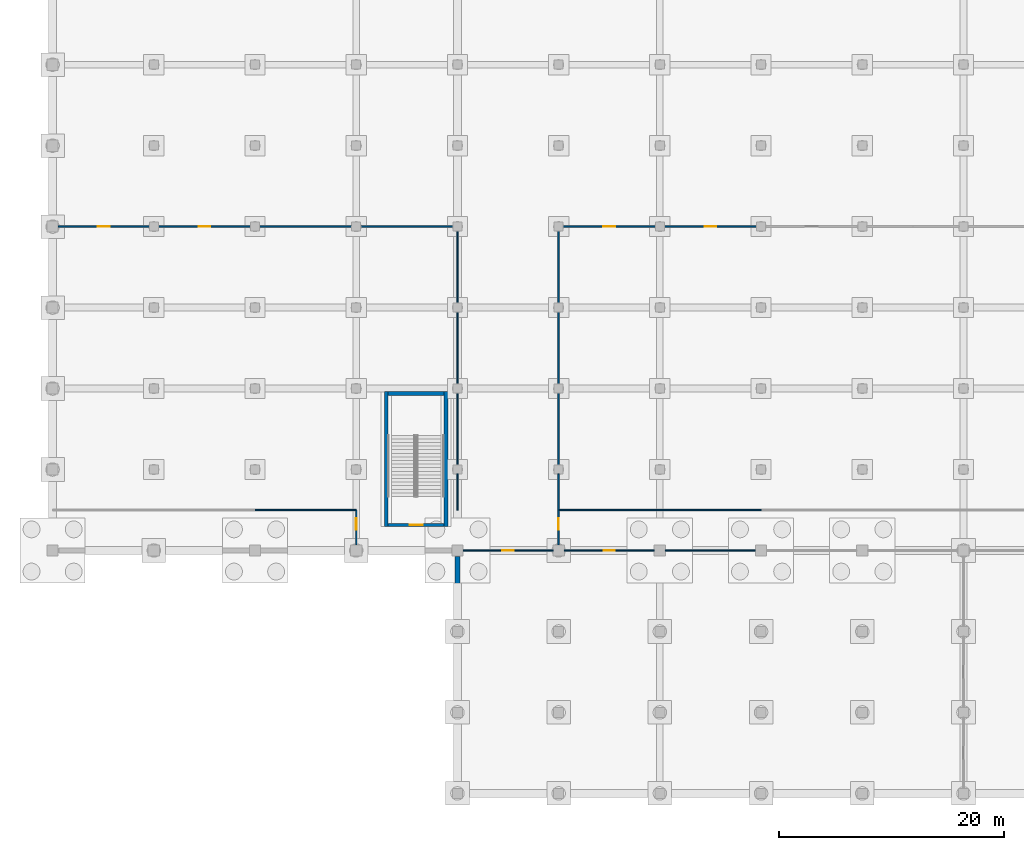
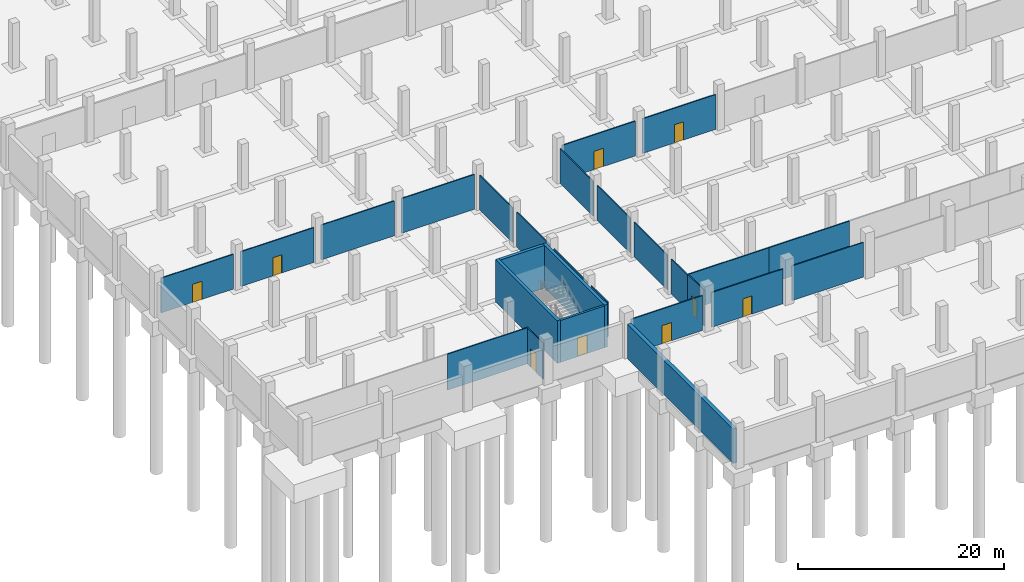
# One storey, part 16 of 39: 27 walls, 9 doors, 9 openings.
"""IFC4 building model written with IfcOpenShell, lengths in metres."""

from ifc_helpers import new_model, si_unit, direction, frame, frame_2d, origin, place, context, subcontext, project, spatial, rectangle, extrude, material, layer, layer_set, type_object, element, fill, save


model = new_model("IFC4")

# Units and contexts
model_context = context("Model", 3, precision=1e-05, world=origin(), true_north=direction((0.0, 1.0)))
body_context = subcontext(model_context, "Body", "Model", "MODEL_VIEW")
ifc_project = project(units=[si_unit("LENGTHUNIT", "METRE"), si_unit("AREAUNIT", "SQUARE_METRE"), si_unit("VOLUMEUNIT", "CUBIC_METRE"), si_unit("PLANEANGLEUNIT", "RADIAN"), si_unit("MASSUNIT", "GRAM", prefix="KILO")], contexts=[model_context])

# Site, building, storey
site_placement = place(None, origin())
site = spatial("IfcSite", under=ifc_project, at=site_placement, CompositionType="ELEMENT")
building_placement = place(site_placement, origin())
building = spatial("IfcBuilding", under=site, at=building_placement, Name="Celestram Park Convention Centre", CompositionType="ELEMENT")
storey_placement = place(building_placement, frame((0.0, 0.0, -5.39990234375)))
storey = spatial("IfcBuildingStorey", under=building, at=storey_placement, Name="B1", CompositionType="ELEMENT", Elevation=-5.39990234375)

# Wall, opening, door
ifc_material_1 = material(Name="Concrete Block Masonry C25/30", Category="masonry")
ifc_layer_1 = layer(ifc_material_1, 0.25)
ifc_layer_set_1 = layer_set([ifc_layer_1], Name="Concrete Block Masonry C25/30")
wall_type_1 = type_object("IfcWallType", Name="ARC-WL-COR250", PredefinedType="STANDARD", material=ifc_layer_set_1)
wall_1_placement = place(storey_placement, frame((29.840087890625, 23.875, 0.0), z_axis=(0.0, 0.0, 1.0), x_axis=(1.0, 0.0, 0.0)))
wall_1 = element("IfcWall", 1, at=wall_1_placement, inside=storey, type_object=wall_type_1, Name="Core S17 stair entrance wall", PredefinedType="STANDARD", context=body_context, shape_type="SweptSolid", body=[
    extrude(rectangle(XDim=4.9599609375, YDim=0.25, at=frame_2d((2.47998046875, 0.0))), origin(), (0.0, 0.0, 1.0), 4.949951171875),
])
opening_1_placement = place(wall_1_placement, frame((1.905029296875, 0.0, 0.0)))
opening_1 = element("IfcOpeningElement", 2, at=opening_1_placement, cuts=wall_1, Name="Opening D-ST1", PredefinedType="OPENING", context=body_context, shape_type="SweptSolid", body=[
    extrude(rectangle(XDim=1.14990234375, YDim=2.199951171875, at=frame_2d((0.574951171875, 1.10009765625))), frame((0.0, 0.135009765625, 0.0), z_axis=(0.0, -1.0, 0.0), x_axis=(1.0, 0.0, 0.0)), (0.0, 0.0, 1.0), 0.27001953125),
])
ifc_material_2 = material(Name="Fire-Rated Hollow Metal Steel ASTM A653", Category="steel")
door_type_1 = type_object("IfcDoorType", Name="ARC-DR-ST115", OperationType="NOTDEFINED", PredefinedType="DOOR", material=ifc_material_2)
door_1_placement = place(opening_1_placement, origin())
door_1 = element("IfcDoor", 3, at=door_1_placement, inside=storey, type_object=door_type_1, Name="Exit stair ST-17 fire door", OperationType="SINGLE_SWING_LEFT", OverallHeight=2.199951171875, OverallWidth=1.14990234375, PredefinedType="DOOR", context=body_context, shape_type="SweptSolid", body=[
    extrude(rectangle(XDim=1.14990234375, YDim=2.199951171875, at=frame_2d((0.574951171875, 1.10009765625))), frame((0.0, 0.02490234375, 0.0), z_axis=(0.0, -1.0, 0.0), x_axis=(1.0, 0.0, 0.0)), (0.0, 0.0, 1.0), 0.050048828125),
])
fill(opening_1, door_1)

ifc_material_3 = material(Name="Standard Gypsum & Steel Stud 120 mm", Category="steel")
ifc_layer_2 = layer(ifc_material_3, 0.1201171875)
ifc_layer_set_2 = layer_set([ifc_layer_2], Name="Standard Gypsum & Steel Stud 120 mm")
wall_type_2 = type_object("IfcWallType", Name="ARC-WL-PRT120", PredefinedType="PARTITIONING", material=ifc_layer_set_2)
wall_2_placement = place(storey_placement, frame((36.498046875, 21.60009765625, 0.0), z_axis=(0.0, 0.0, 1.0), x_axis=(1.0, 0.0, 0.0)))
wall_2 = element("IfcWall", 4, at=wall_2_placement, inside=storey, type_object=wall_type_2, Name="Interior partition WL-B1-IN0414", PredefinedType="PARTITIONING", context=body_context, shape_type="SweptSolid", body=[
    extrude(rectangle(XDim=8.00390625, YDim=0.1201171875, at=frame_2d((4.001953125, 0.0))), origin(), (0.0, 0.0, 1.0), 4.11279296875),
])
opening_2_placement = place(wall_2_placement, frame((3.47705078125, 0.0, 0.0)))
opening_2 = element("IfcOpeningElement", 5, at=opening_2_placement, cuts=wall_2, Name="Opening D-06", PredefinedType="OPENING", context=body_context, shape_type="SweptSolid", body=[
    extrude(rectangle(XDim=1.050048828125, YDim=2.14990234375, at=frame_2d((0.52490234375, 1.074951171875))), frame((0.0, 0.070068359375, 0.0), z_axis=(0.0, -1.0, 0.0), x_axis=(1.0, 0.0, 0.0)), (0.0, 0.0, 1.0), 0.14013671875),
])
ifc_material_4 = material(Name="Solid Core White Oak Single Door", Category="wood")
door_type_2 = type_object("IfcDoorType", Name="ARC-DR-RM105", OperationType="NOTDEFINED", PredefinedType="DOOR", material=ifc_material_4)
door_2_placement = place(opening_2_placement, origin())
door_2 = element("IfcDoor", 6, at=door_2_placement, inside=storey, type_object=door_type_2, Name="Underground Dock Staging Corridor entrance door", OperationType="SINGLE_SWING_RIGHT", OverallHeight=2.14990234375, OverallWidth=1.050048828125, PredefinedType="DOOR", context=body_context, shape_type="SweptSolid", body=[
    extrude(rectangle(XDim=1.050048828125, YDim=2.14990234375, at=frame_2d((0.52490234375, 1.074951171875))), frame((0.0, 0.02490234375, 0.0), z_axis=(0.0, -1.0, 0.0), x_axis=(1.0, 0.0, 0.0)), (0.0, 0.0, 1.0), 0.050048828125),
])
fill(opening_2, door_2)

wall_3_placement = place(storey_placement, frame((45.498046875, 21.60009765625, 0.0), z_axis=(0.0, 0.0, 1.0), x_axis=(1.0, 0.0, 0.0)))
wall_3 = element("IfcWall", 7, at=wall_3_placement, inside=storey, type_object=wall_type_2, Name="Interior partition WL-B1-IN0415", PredefinedType="PARTITIONING", context=body_context, shape_type="SweptSolid", body=[
    extrude(rectangle(XDim=8.00390625, YDim=0.1201171875, at=frame_2d((4.001953125, 0.0))), origin(), (0.0, 0.0, 1.0), 4.11279296875),
])
opening_3_placement = place(wall_3_placement, frame((3.501953125, 0.0, 0.0)))
opening_3 = element("IfcOpeningElement", 8, at=opening_3_placement, cuts=wall_3, Name="Opening D-07", PredefinedType="OPENING", context=body_context, shape_type="SweptSolid", body=[
    extrude(rectangle(XDim=1.0, YDim=2.14990234375, at=frame_2d((0.5, 1.074951171875))), frame((0.0, 0.070068359375, 0.0), z_axis=(0.0, -1.0, 0.0), x_axis=(1.0, 0.0, 0.0)), (0.0, 0.0, 1.0), 0.14013671875),
])
door_type_3 = type_object("IfcDoorType", Name="ARC-DR-RM100", OperationType="NOTDEFINED", PredefinedType="DOOR", material=ifc_material_4)
door_3_placement = place(opening_3_placement, origin())
door_3 = element("IfcDoor", 9, at=door_3_placement, inside=storey, type_object=door_type_3, Name="Underground Dock Staging Corridor entrance door", OperationType="SINGLE_SWING_LEFT", OverallHeight=2.14990234375, OverallWidth=1.0, PredefinedType="DOOR", context=body_context, shape_type="SweptSolid", body=[
    extrude(rectangle(XDim=1.0, YDim=2.14990234375, at=frame_2d((0.5, 1.074951171875))), frame((0.0, 0.02490234375, 0.0), z_axis=(0.0, -1.0, 0.0), x_axis=(1.0, 0.0, 0.0)), (0.0, 0.0, 1.0), 0.050048828125),
])
fill(opening_3, door_3)

# Walls
wall_4_placement = place(storey_placement, frame((54.498046875, 21.60009765625, 0.0), z_axis=(0.0, 0.0, 1.0), x_axis=(1.0, 0.0, 0.0)))
element("IfcWall", 10, at=wall_4_placement, inside=storey, type_object=wall_type_2, Name="Interior partition WL-B1-IN0416", PredefinedType="PARTITIONING", context=body_context, shape_type="SweptSolid", body=[
    extrude(rectangle(XDim=8.00390625, YDim=0.1201171875, at=frame_2d((4.001953125, 0.0))), origin(), (0.0, 0.0, 1.0), 4.11279296875),
])
for number, where, z_axis, x_axis, name in (
    (11, (18.0, 25.199951171875, 0.0), (0.0, 0.0, 1.0), (1.0, 0.0, 0.0), "Interior partition WL-B1-IN0426"),
    (12, (45.0, 25.199951171875, 0.0), (0.0, 0.0, 1.0), (1.0, 0.0, 0.0), "Interior partition WL-B1-IN0427"),
    (13, (54.0, 25.199951171875, 0.0), (0.0, 0.0, 1.0), (1.0, 0.0, 0.0), "Interior partition WL-B1-IN0428"),
):
    element("IfcWall", number, at=place(storey_placement, frame(where, z_axis=z_axis, x_axis=x_axis)), inside=storey, type_object=wall_type_2, Name=name, PredefinedType="PARTITIONING", context=body_context, shape_type="SweptSolid", body=[
        extrude(rectangle(XDim=9.0, YDim=0.1201171875, at=frame_2d((4.5, 0.0))), origin(), (0.0, 0.0, 1.0), 4.267822265625),
    ])

# Wall, opening, door
wall_5_placement = place(storey_placement, frame((0.498046875, 50.39990234375, 0.0), z_axis=(0.0, 0.0, 1.0), x_axis=(1.0, 0.0, 0.0)))
wall_5 = element("IfcWall", 14, at=wall_5_placement, inside=storey, type_object=wall_type_2, Name="Interior partition WL-B1-IN0436", PredefinedType="PARTITIONING", context=body_context, shape_type="SweptSolid", body=[
    extrude(rectangle(XDim=8.10400390625, YDim=0.1201171875, at=frame_2d((4.052001953125, 0.0))), origin(), (0.0, 0.0, 1.0), 4.11279296875),
])
opening_4_placement = place(wall_5_placement, frame((3.527099609375, 0.0, 0.0)))
opening_4 = element("IfcOpeningElement", 15, at=opening_4_placement, cuts=wall_5, Name="Opening D-06", PredefinedType="OPENING", context=body_context, shape_type="SweptSolid", body=[
    extrude(rectangle(XDim=1.050048828125, YDim=2.14990234375, at=frame_2d((0.52490234375, 1.074951171875))), frame((0.0, 0.070068359375, 0.0), z_axis=(0.0, -1.0, 0.0), x_axis=(1.0, 0.0, 0.0)), (0.0, 0.0, 1.0), 0.14013671875),
])
door_4_placement = place(opening_4_placement, origin())
door_4 = element("IfcDoor", 16, at=door_4_placement, inside=storey, type_object=door_type_2, Name="West Exhibit Storage Hall entrance door", OperationType="SINGLE_SWING_RIGHT", OverallHeight=2.14990234375, OverallWidth=1.050048828125, PredefinedType="DOOR", context=body_context, shape_type="SweptSolid", body=[
    extrude(rectangle(XDim=1.050048828125, YDim=2.14990234375, at=frame_2d((0.52490234375, 1.074951171875))), frame((0.0, 0.02490234375, 0.0), z_axis=(0.0, -1.0, 0.0), x_axis=(1.0, 0.0, 0.0)), (0.0, 0.0, 1.0), 0.050048828125),
])
fill(opening_4, door_4)

wall_6_placement = place(storey_placement, frame((9.39794921875, 50.39990234375, 0.0), z_axis=(0.0, 0.0, 1.0), x_axis=(1.0, 0.0, 0.0)))
wall_6 = element("IfcWall", 17, at=wall_6_placement, inside=storey, type_object=wall_type_2, Name="Interior partition WL-B1-IN0437", PredefinedType="PARTITIONING", context=body_context, shape_type="SweptSolid", body=[
    extrude(rectangle(XDim=8.2041015625, YDim=0.1201171875, at=frame_2d((4.10205078125, 0.0))), origin(), (0.0, 0.0, 1.0), 4.11279296875),
])
opening_5_placement = place(wall_6_placement, frame((3.60205078125, 0.0, 0.0)))
opening_5 = element("IfcOpeningElement", 18, at=opening_5_placement, cuts=wall_6, Name="Opening D-07", PredefinedType="OPENING", context=body_context, shape_type="SweptSolid", body=[
    extrude(rectangle(XDim=1.0, YDim=2.14990234375, at=frame_2d((0.5, 1.074951171875))), frame((0.0, 0.070068359375, 0.0), z_axis=(0.0, -1.0, 0.0), x_axis=(1.0, 0.0, 0.0)), (0.0, 0.0, 1.0), 0.14013671875),
])
door_5_placement = place(opening_5_placement, origin())
door_5 = element("IfcDoor", 19, at=door_5_placement, inside=storey, type_object=door_type_3, Name="West Exhibit Storage Hall entrance door", OperationType="SINGLE_SWING_LEFT", OverallHeight=2.14990234375, OverallWidth=1.0, PredefinedType="DOOR", context=body_context, shape_type="SweptSolid", body=[
    extrude(rectangle(XDim=1.0, YDim=2.14990234375, at=frame_2d((0.5, 1.074951171875))), frame((0.0, 0.02490234375, 0.0), z_axis=(0.0, -1.0, 0.0), x_axis=(1.0, 0.0, 0.0)), (0.0, 0.0, 1.0), 0.050048828125),
])
fill(opening_5, door_5)

# Walls
for number, where, z_axis, x_axis, name in (
    (20, (18.39794921875, 50.39990234375, 0.0), (0.0, 0.0, 1.0), (1.0, 0.0, 0.0), "Interior partition WL-B1-IN0438"),
    (21, (27.39794921875, 50.39990234375, 0.0), (0.0, 0.0, 1.0), (1.0, 0.0, 0.0), "Interior partition WL-B1-IN0439"),
):
    element("IfcWall", number, at=place(storey_placement, frame(where, z_axis=z_axis, x_axis=x_axis)), inside=storey, type_object=wall_type_2, Name=name, PredefinedType="PARTITIONING", context=body_context, shape_type="SweptSolid", body=[
        extrude(rectangle(XDim=8.2041015625, YDim=0.1201171875, at=frame_2d((4.10205078125, 0.0))), origin(), (0.0, 0.0, 1.0), 4.11279296875),
    ])

# Wall, opening, door
wall_7_placement = place(storey_placement, frame((45.39794921875, 50.39990234375, 0.0), z_axis=(0.0, 0.0, 1.0), x_axis=(1.0, 0.0, 0.0)))
wall_7 = element("IfcWall", 22, at=wall_7_placement, inside=storey, type_object=wall_type_2, Name="Interior partition WL-B1-IN0440", PredefinedType="PARTITIONING", context=body_context, shape_type="SweptSolid", body=[
    extrude(rectangle(XDim=8.2041015625, YDim=0.1201171875, at=frame_2d((4.10205078125, 0.0))), origin(), (0.0, 0.0, 1.0), 4.11279296875),
])
opening_6_placement = place(wall_7_placement, frame((3.576904296875, 0.0, 0.0)))
opening_6 = element("IfcOpeningElement", 23, at=opening_6_placement, cuts=wall_7, Name="Opening D-06", PredefinedType="OPENING", context=body_context, shape_type="SweptSolid", body=[
    extrude(rectangle(XDim=1.050048828125, YDim=2.14990234375, at=frame_2d((0.52490234375, 1.074951171875))), frame((0.0, 0.070068359375, 0.0), z_axis=(0.0, -1.0, 0.0), x_axis=(1.0, 0.0, 0.0)), (0.0, 0.0, 1.0), 0.14013671875),
])
door_6_placement = place(opening_6_placement, origin())
door_6 = element("IfcDoor", 24, at=door_6_placement, inside=storey, type_object=door_type_2, Name="Central Exhibit Storage Vault entrance door", OperationType="SINGLE_SWING_RIGHT", OverallHeight=2.14990234375, OverallWidth=1.050048828125, PredefinedType="DOOR", context=body_context, shape_type="SweptSolid", body=[
    extrude(rectangle(XDim=1.050048828125, YDim=2.14990234375, at=frame_2d((0.52490234375, 1.074951171875))), frame((0.0, 0.02490234375, 0.0), z_axis=(0.0, -1.0, 0.0), x_axis=(1.0, 0.0, 0.0)), (0.0, 0.0, 1.0), 0.050048828125),
])
fill(opening_6, door_6)

wall_8_placement = place(storey_placement, frame((54.39794921875, 50.39990234375, 0.0), z_axis=(0.0, 0.0, 1.0), x_axis=(1.0, 0.0, 0.0)))
wall_8 = element("IfcWall", 25, at=wall_8_placement, inside=storey, type_object=wall_type_2, Name="Interior partition WL-B1-IN0441", PredefinedType="PARTITIONING", context=body_context, shape_type="SweptSolid", body=[
    extrude(rectangle(XDim=8.2041015625, YDim=0.1201171875, at=frame_2d((4.10205078125, 0.0))), origin(), (0.0, 0.0, 1.0), 4.11279296875),
])
opening_7_placement = place(wall_8_placement, frame((3.60205078125, 0.0, 0.0)))
opening_7 = element("IfcOpeningElement", 26, at=opening_7_placement, cuts=wall_8, Name="Opening D-07", PredefinedType="OPENING", context=body_context, shape_type="SweptSolid", body=[
    extrude(rectangle(XDim=1.0, YDim=2.14990234375, at=frame_2d((0.5, 1.074951171875))), frame((0.0, 0.070068359375, 0.0), z_axis=(0.0, -1.0, 0.0), x_axis=(1.0, 0.0, 0.0)), (0.0, 0.0, 1.0), 0.14013671875),
])
door_7_placement = place(opening_7_placement, origin())
door_7 = element("IfcDoor", 27, at=door_7_placement, inside=storey, type_object=door_type_3, Name="Central Exhibit Storage Vault entrance door", OperationType="SINGLE_SWING_LEFT", OverallHeight=2.14990234375, OverallWidth=1.0, PredefinedType="DOOR", context=body_context, shape_type="SweptSolid", body=[
    extrude(rectangle(XDim=1.0, YDim=2.14990234375, at=frame_2d((0.5, 1.074951171875))), frame((0.0, 0.02490234375, 0.0), z_axis=(0.0, -1.0, 0.0), x_axis=(1.0, 0.0, 0.0)), (0.0, 0.0, 1.0), 0.050048828125),
])
fill(opening_7, door_7)

wall_9_placement = place(storey_placement, frame((27.0, 22.097900390625, 0.0), z_axis=(0.0, 0.0, 1.0), x_axis=(0.0, 1.0, 0.0)))
wall_9 = element("IfcWall", 28, at=wall_9_placement, inside=storey, type_object=wall_type_2, Name="Interior partition WL-B1-IN0496", PredefinedType="PARTITIONING", context=body_context, shape_type="SweptSolid", body=[
    extrude(rectangle(XDim=3.10205078125, YDim=0.1201171875, at=frame_2d((1.551025390625, 0.0))), origin(), (0.0, 0.0, 1.0), 4.267822265625),
])
opening_8_placement = place(wall_9_placement, frame((1.333740234375, 0.0, 0.0)))
opening_8 = element("IfcOpeningElement", 29, at=opening_8_placement, cuts=wall_9, Name="Opening D-06", PredefinedType="OPENING", context=body_context, shape_type="SweptSolid", body=[
    extrude(rectangle(XDim=1.050048828125, YDim=2.14990234375, at=frame_2d((0.52490234375, 1.074951171875))), frame((0.0, 0.070068359375, 0.0), z_axis=(0.0, -1.0, 0.0), x_axis=(1.0, 0.0, 0.0)), (0.0, 0.0, 1.0), 0.14013671875),
])
door_8_placement = place(opening_8_placement, origin())
door_8 = element("IfcDoor", 30, at=door_8_placement, inside=storey, type_object=door_type_2, Name="Southwest Exhibit Crate Store entrance door", OperationType="SINGLE_SWING_RIGHT", OverallHeight=2.14990234375, OverallWidth=1.050048828125, PredefinedType="DOOR", context=body_context, shape_type="SweptSolid", body=[
    extrude(rectangle(XDim=1.050048828125, YDim=2.14990234375, at=frame_2d((0.52490234375, 1.074951171875))), frame((0.0, 0.02490234375, 0.0), z_axis=(0.0, -1.0, 0.0), x_axis=(1.0, 0.0, 0.0)), (0.0, 0.0, 1.0), 0.050048828125),
])
fill(opening_8, door_8)

# Walls
wall_10_placement = place(storey_placement, frame((36.0, 25.199951171875, 0.0), z_axis=(0.0, 0.0, 1.0), x_axis=(0.0, 1.0, 0.0)))
element("IfcWall", 31, at=wall_10_placement, inside=storey, type_object=wall_type_2, Name="Interior partition WL-B1-IN0497", PredefinedType="PARTITIONING", context=body_context, shape_type="SweptSolid", body=[
    extrude(rectangle(XDim=3.2021484375, YDim=0.1201171875, at=frame_2d((1.60107421875, 0.0))), origin(), (0.0, 0.0, 1.0), 4.11279296875),
])
for number, where, z_axis, x_axis, name in (
    (32, (36.0, 29.197998046875, 0.0), (0.0, 0.0, 1.0), (0.0, 1.0, 0.0), "Interior partition WL-B1-IN0498"),
    (33, (36.0, 36.39794921875, 0.0), (0.0, 0.0, 1.0), (0.0, 1.0, 0.0), "Interior partition WL-B1-IN0499"),
    (34, (36.0, 43.597900390625, 0.0), (0.0, 0.0, 1.0), (0.0, 1.0, 0.0), "Interior partition WL-B1-IN0500"),
):
    element("IfcWall", number, at=place(storey_placement, frame(where, z_axis=z_axis, x_axis=x_axis)), inside=storey, type_object=wall_type_2, Name=name, PredefinedType="PARTITIONING", context=body_context, shape_type="SweptSolid", body=[
        extrude(rectangle(XDim=6.404052734375, YDim=0.1201171875, at=frame_2d((3.2021484375, 0.0))), origin(), (0.0, 0.0, 1.0), 4.11279296875),
    ])

# Wall, opening, door
wall_11_placement = place(storey_placement, frame((45.0, 22.097900390625, 0.0), z_axis=(0.0, 0.0, 1.0), x_axis=(0.0, 1.0, 0.0)))
wall_11 = element("IfcWall", 35, at=wall_11_placement, inside=storey, type_object=wall_type_2, Name="Interior partition WL-B1-IN0501", PredefinedType="PARTITIONING", context=body_context, shape_type="SweptSolid", body=[
    extrude(rectangle(XDim=3.10205078125, YDim=0.1201171875, at=frame_2d((1.551025390625, 0.0))), origin(), (0.0, 0.0, 1.0), 4.267822265625),
])
opening_9_placement = place(wall_11_placement, frame((1.3662109375, 0.0, 0.0)))
opening_9 = element("IfcOpeningElement", 36, at=opening_9_placement, cuts=wall_11, Name="Opening D-07", PredefinedType="OPENING", context=body_context, shape_type="SweptSolid", body=[
    extrude(rectangle(XDim=1.0, YDim=2.14990234375, at=frame_2d((0.5, 1.074951171875))), frame((0.0, 0.070068359375, 0.0), z_axis=(0.0, -1.0, 0.0), x_axis=(1.0, 0.0, 0.0)), (0.0, 0.0, 1.0), 0.14013671875),
])
door_9_placement = place(opening_9_placement, origin())
door_9 = element("IfcDoor", 37, at=door_9_placement, inside=storey, type_object=door_type_3, Name="Southeast Exhibit Crate Store entrance door", OperationType="SINGLE_SWING_LEFT", OverallHeight=2.14990234375, OverallWidth=1.0, PredefinedType="DOOR", context=body_context, shape_type="SweptSolid", body=[
    extrude(rectangle(XDim=1.0, YDim=2.14990234375, at=frame_2d((0.5, 1.074951171875))), frame((0.0, 0.02490234375, 0.0), z_axis=(0.0, -1.0, 0.0), x_axis=(1.0, 0.0, 0.0)), (0.0, 0.0, 1.0), 0.050048828125),
])
fill(opening_9, door_9)

# Walls
wall_12_placement = place(storey_placement, frame((45.0, 25.199951171875, 0.0), z_axis=(0.0, 0.0, 1.0), x_axis=(0.0, 1.0, 0.0)))
element("IfcWall", 38, at=wall_12_placement, inside=storey, type_object=wall_type_2, Name="Interior partition WL-B1-IN0502", PredefinedType="PARTITIONING", context=body_context, shape_type="SweptSolid", body=[
    extrude(rectangle(XDim=3.2021484375, YDim=0.1201171875, at=frame_2d((1.60107421875, 0.0))), origin(), (0.0, 0.0, 1.0), 4.11279296875),
])
for number, where, z_axis, x_axis, name in (
    (39, (45.0, 29.197998046875, 0.0), (0.0, 0.0, 1.0), (0.0, 1.0, 0.0), "Interior partition WL-B1-IN0503"),
    (40, (45.0, 36.39794921875, 0.0), (0.0, 0.0, 1.0), (0.0, 1.0, 0.0), "Interior partition WL-B1-IN0504"),
    (41, (45.0, 43.597900390625, 0.0), (0.0, 0.0, 1.0), (0.0, 1.0, 0.0), "Interior partition WL-B1-IN0505"),
):
    element("IfcWall", number, at=place(storey_placement, frame(where, z_axis=z_axis, x_axis=x_axis)), inside=storey, type_object=wall_type_2, Name=name, PredefinedType="PARTITIONING", context=body_context, shape_type="SweptSolid", body=[
        extrude(rectangle(XDim=6.404052734375, YDim=0.1201171875, at=frame_2d((3.2021484375, 0.0))), origin(), (0.0, 0.0, 1.0), 4.11279296875),
    ])
ifc_material_5 = material(Name="Concrete C40/50", Category="concrete")
ifc_layer_3 = layer(ifc_material_5, 0.419921875)
ifc_layer_set_3 = layer_set([ifc_layer_3], Name="Concrete C40/50")
wall_type_3 = type_object("IfcWallType", Name="STR-WL-RET420", PredefinedType="USERDEFINED", material=ifc_layer_set_3)
wall_13_placement = place(storey_placement, frame((36.0, 0.550048828125, 0.0), z_axis=(0.0, 0.0, 1.0), x_axis=(0.0, 1.0, 0.0)))
element("IfcWall", 42, at=wall_13_placement, inside=storey, type_object=wall_type_3, Name="Basement retaining wall WL-B1-RET21", ObjectType="RETAININGWALL", PredefinedType="USERDEFINED", context=body_context, shape_type="SweptSolid", body=[
    extrude(rectangle(XDim=20.5, YDim=0.419921875, at=frame_2d((10.25, 0.0))), origin(), (0.0, 0.0, 1.0), 4.079833984375),
])
ifc_layer_4 = layer(ifc_material_5, 0.340087890625)
ifc_layer_set_4 = layer_set([ifc_layer_4], Name="Concrete C40/50")
wall_type_4 = type_object("IfcWallType", Name="STR-WL-SHR340", PredefinedType="SHEAR", material=ifc_layer_set_4)
for number, where, z_axis, x_axis, name in (
    (43, (29.669921875, 23.75, 0.0), (0.0, 0.0, 1.0), (0.0, 1.0, 0.0), "Core S17 shear wall L"),
    (44, (34.969970703125, 35.739990234375, 0.0), (0.0, 0.0, 1.0), (0.0, -1.0, 0.0), "Core S17 shear wall R"),
):
    element("IfcWall", number, at=place(storey_placement, frame(where, z_axis=z_axis, x_axis=x_axis)), inside=storey, type_object=wall_type_4, Name=name, PredefinedType="SHEAR", context=body_context, shape_type="SweptSolid", body=[
        extrude(rectangle(XDim=11.989990234375, YDim=0.340087890625, at=frame_2d((5.9951171875, 0.0))), origin(), (0.0, 0.0, 1.0), 5.039794921875),
    ])
wall_14_placement = place(storey_placement, frame((29.840087890625, 35.570068359375, 0.0), z_axis=(0.0, 0.0, 1.0), x_axis=(1.0, 0.0, 0.0)))
element("IfcWall", 45, at=wall_14_placement, inside=storey, type_object=wall_type_4, Name="Core S17 shear wall F", PredefinedType="SHEAR", context=body_context, shape_type="SweptSolid", body=[
    extrude(rectangle(XDim=4.9599609375, YDim=0.340087890625, at=frame_2d((2.47998046875, 0.0))), origin(), (0.0, 0.0, 1.0), 5.039794921875),
])

save(model, "model.ifc")
